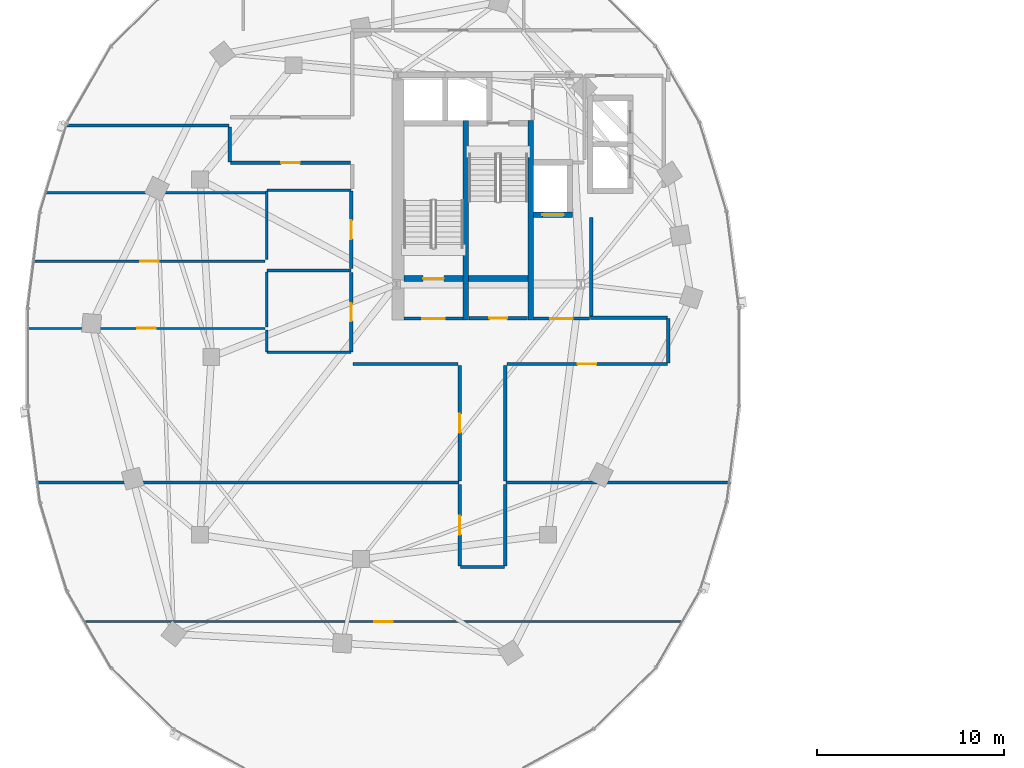
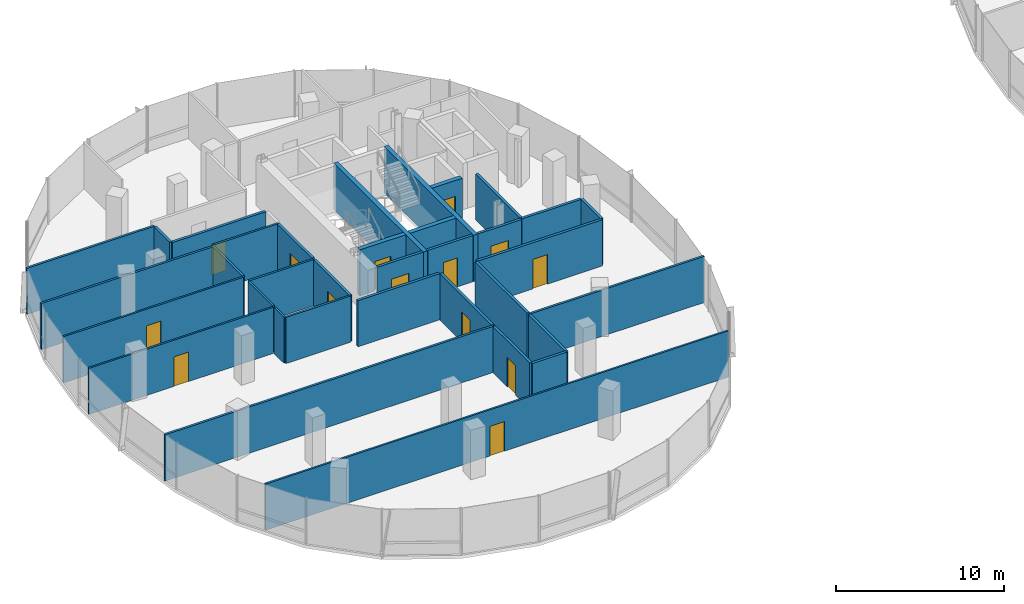
# One storey, part 12 of 23: 35 walls, 14 doors, 14 openings.
"""IFC4 building model written with IfcOpenShell, lengths in metres."""

import ifcopenshell
import ifcopenshell.guid

model = None  # the IFC model being written
_history = None  # IfcOwnerHistory: only IFC2X3 demands one
_inside = {}  # id of a spatial element -> (the spatial element, [elements in it])
_under = {}  # id of a project, library or spatial element -> (it, [spatial elements below it])
_declared = {}  # id of a project -> (the project, [libraries it declares])
_typed = {}  # id of a type object -> (the type object, [elements of that type])
_made_of = {}  # id of a material, layer set ... -> (it, [elements and type objects made of it])


def new_model(schema):
    """Start an empty IFC model of exactly this schema.

    Asked for "IFC4X3", IfcOpenShell would pick the latest addendum, in which some entities
    have other attributes; the version numbers below select the first issue.
    IFC2X3 requires an IfcOwnerHistory on every rooted entity: one is made here for all.
    """
    global model, _history
    if schema == "IFC4X3":
        model = ifcopenshell.file(schema_version=(4, 3, 0, 0))
    else:
        model = ifcopenshell.file(schema=schema)
    _inside.clear()
    _under.clear()
    _declared.clear()
    _typed.clear()
    _made_of.clear()
    _history = None
    if model.schema == "IFC2X3":
        org = make("IfcOrganization", Name="unknown")
        user = make(
            "IfcPersonAndOrganization",
            ThePerson=make("IfcPerson", FamilyName="unknown"),
            TheOrganization=org,
        )
        app = make(
            "IfcApplication",
            ApplicationDeveloper=org,
            Version="unknown",
            ApplicationFullName="unknown",
            ApplicationIdentifier="unknown",
        )
        _history = make(
            "IfcOwnerHistory",
            OwningUser=user,
            OwningApplication=app,
            ChangeAction="ADDED",
            CreationDate=0,
        )
    return model


def make(cls, **values):
    """One entity of the class cls with the attributes given. An attribute that is None is left unset."""
    return model.create_entity(
        cls, **{name: value for name, value in values.items() if value is not None}
    )


def rooted(cls, **values):
    """An entity with a GlobalId (a new one), such as an element, a storey or a relation."""
    return make(cls, GlobalId=ifcopenshell.guid.new(), OwnerHistory=_history, **values)


def si_unit(unit_type, name, prefix=None):
    """IfcSIUnit, for example si_unit("LENGTHUNIT", "METRE", prefix="MILLI")."""
    return make("IfcSIUnit", UnitType=unit_type, Prefix=prefix, Name=name)


def assignment(units):
    """IfcUnitAssignment: the units of a project."""
    return None if units is None else make("IfcUnitAssignment", Units=units)


def point(xyz):
    """IfcCartesianPoint."""
    return None if xyz is None else make("IfcCartesianPoint", Coordinates=xyz)


def direction(xyz):
    """IfcDirection."""
    return None if xyz is None else make("IfcDirection", DirectionRatios=xyz)


def frame(location, z_axis=None, x_axis=None):
    """IfcAxis2Placement3D, a coordinate frame: its origin and axes. An axis left out is left unset."""
    return make(
        "IfcAxis2Placement3D",
        Location=point(location),
        Axis=direction(z_axis),
        RefDirection=direction(x_axis),
    )


def frame_2d(location, x_axis=None):
    """IfcAxis2Placement2D, a coordinate frame in the plane: its origin and x axis."""
    return make(
        "IfcAxis2Placement2D", Location=point(location), RefDirection=direction(x_axis)
    )


def origin():
    """The frame at (0, 0, 0) with its axes left unset."""
    return frame((0.0, 0.0, 0.0))


def place(relative_to, where):
    """IfcLocalPlacement: puts the frame where relative to a parent placement (None: the world)."""
    return make(
        "IfcLocalPlacement", PlacementRelTo=relative_to, RelativePlacement=where
    )


def context(
    kind, dimensions, precision=None, world=None, true_north=None, identifier=None
):
    """IfcGeometricRepresentationContext, for example the 3D "Model" context."""
    return make(
        "IfcGeometricRepresentationContext",
        ContextIdentifier=identifier,
        ContextType=kind,
        CoordinateSpaceDimension=dimensions,
        Precision=precision,
        WorldCoordinateSystem=world,
        TrueNorth=true_north,
    )


def subcontext(parent, identifier, kind, view, scale=None):
    """IfcGeometricRepresentationSubContext, for example "Body" below "Model"."""
    return make(
        "IfcGeometricRepresentationSubContext",
        ContextIdentifier=identifier,
        ContextType=kind,
        ParentContext=parent,
        TargetScale=scale,
        TargetView=view,
    )


def project(units=None, contexts=None):
    """IfcProject with its units and contexts."""
    return rooted(
        "IfcProject",
        Name="project",
        RepresentationContexts=contexts,
        UnitsInContext=assignment(units),
    )


def spatial(cls, under=None, at=None, **own):
    """A site, building, storey or space (cls), placed at a placement, below another one or the project."""
    s = rooted(cls, ObjectPlacement=at, **own)
    if under is not None:
        _under.setdefault(under.id(), (under, []))[1].append(s)
    return s


def profile(cls, at=None, kind="AREA", **sizes):
    """A parametric profile (cls). Its sizes go by their IFC names, for example OverallWidth=200.0."""
    return make(cls, ProfileType=kind, Position=at, **sizes)


def rectangle(**sizes):
    """IfcRectangleProfileDef."""
    return profile("IfcRectangleProfileDef", **sizes)


def extrude(swept, where, along, depth):
    """IfcExtrudedAreaSolid: the profile swept, set in the frame where, extruded along a direction by depth."""
    return make(
        "IfcExtrudedAreaSolid",
        SweptArea=swept,
        Position=where,
        ExtrudedDirection=direction(along),
        Depth=depth,
    )


def shape(context_of_items, identifier, shape_type, items):
    """IfcShapeRepresentation: the items that make up one representation, for example the "Body"."""
    return make(
        "IfcShapeRepresentation",
        ContextOfItems=context_of_items,
        RepresentationIdentifier=identifier,
        RepresentationType=shape_type,
        Items=items,
    )


def material(Name=None, Category=None):
    """IfcMaterial."""
    return make("IfcMaterial", Name=Name, Category=Category)


def layer(
    of_material, thickness, ventilated=None, Name=None, Category=None, Priority=None
):
    """IfcMaterialLayer: one layer of a wall or slab, of a material (None: an air gap)."""
    return make(
        "IfcMaterialLayer",
        Material=of_material,
        LayerThickness=thickness,
        IsVentilated=ventilated,
        Name=Name,
        Category=Category,
        Priority=Priority,
    )


def layer_set(layers, Name=None):
    """IfcMaterialLayerSet."""
    return make("IfcMaterialLayerSet", MaterialLayers=layers, LayerSetName=Name)


def made_of(thing, what):
    """Note that an element or type object is made of a material, layer set ...; save() writes the relation."""
    if what is not None:
        _made_of.setdefault(what.id(), (what, []))[1].append(thing)
    return thing


def type_object(cls, material=None, **own):
    """A type object (cls), such as IfcWallType, which elements share."""
    return made_of(rooted(cls, **own), material)


def element(
    cls,
    number,
    at=None,
    inside=None,
    cuts=None,
    type_object=None,
    material=None,
    context=None,
    identifier="Body",
    shape_type=None,
    held_by="IfcProductDefinitionShape",
    body=None,
    shapes=None,
    **own,
):
    """One element of the class cls, such as IfcWall. Its Tag is "e" and its number.

    at: its placement. inside: the storey or other place that contains it. cuts: it is an
    opening in that element (IfcRelVoidsElement). A single representation is given by context,
    identifier, shape_type and body (its items); several are given by shapes. held_by: the class
    of the entity that holds the representations. save() writes the other relations.
    """
    e = rooted(cls, Tag="e%d" % number, ObjectPlacement=at, **own)
    if body is not None:
        shapes = [shape(context, identifier, shape_type, body)]
    if shapes is not None:
        e.Representation = make(held_by, Representations=shapes)
    if inside is not None:
        _inside.setdefault(inside.id(), (inside, []))[1].append(e)
    if cuts is not None:
        rooted(
            "IfcRelVoidsElement", RelatingBuildingElement=cuts, RelatedOpeningElement=e
        )
    if type_object is not None:
        _typed.setdefault(type_object.id(), (type_object, []))[1].append(e)
    return made_of(e, material)


def fill(opening, filler):
    """IfcRelFillsElement: the door or window that sits in an opening."""
    return rooted(
        "IfcRelFillsElement",
        RelatingOpeningElement=opening,
        RelatedBuildingElement=filler,
    )


def aggregate(whole, parts):
    """IfcRelAggregates: a whole, such as a stair, and the parts it consists of."""
    return rooted("IfcRelAggregates", RelatingObject=whole, RelatedObjects=parts)


def save(model, path):
    """Write the relations noted so far, then the file.

    IfcRelAggregates (storeys below a building ...), IfcRelContainedInSpatialStructure (elements
    in a storey), IfcRelDefinesByType, IfcRelAssociatesMaterial and IfcRelDeclares: one each for
    every whole, place, type object, material and project.
    """
    for whole, parts in _under.values():
        aggregate(whole, parts)
    for where, things in _inside.values():
        rooted(
            "IfcRelContainedInSpatialStructure",
            RelatedElements=things,
            RelatingStructure=where,
        )
    for kind, things in _typed.values():
        rooted("IfcRelDefinesByType", RelatedObjects=things, RelatingType=kind)
    for what, things in _made_of.values():
        rooted("IfcRelAssociatesMaterial", RelatedObjects=things, RelatingMaterial=what)
    for by, libraries in _declared.values():
        rooted("IfcRelDeclares", RelatingContext=by, RelatedDefinitions=libraries)
    model.write(path)


model = new_model("IFC4")

# Units and contexts
model_context = context("Model", 3, precision=1e-05, world=origin(), true_north=direction((0.0, 1.0)))
body_context = subcontext(model_context, "Body", "Model", "MODEL_VIEW")
ifc_project = project(units=[si_unit("LENGTHUNIT", "METRE"), si_unit("AREAUNIT", "SQUARE_METRE"), si_unit("VOLUMEUNIT", "CUBIC_METRE"), si_unit("PLANEANGLEUNIT", "RADIAN"), si_unit("MASSUNIT", "GRAM", prefix="KILO"), si_unit("THERMODYNAMICTEMPERATUREUNIT", "KELVIN"), si_unit("POWERUNIT", "WATT")], contexts=[model_context])

# Site, building, storey
site_placement = place(None, origin())
site = spatial("IfcSite", under=ifc_project, at=site_placement, CompositionType="ELEMENT")
building_placement = place(site_placement, origin())
building = spatial("IfcBuilding", under=site, at=building_placement, Name="Cundina Bronze Exchange", CompositionType="ELEMENT")
storey_placement = place(building_placement, frame((0.0, 0.0, 172.800048828125)))
storey = spatial("IfcBuildingStorey", under=building, at=storey_placement, Name="L45", CompositionType="ELEMENT", Elevation=172.800048828125)

# Wall
ifc_material_1 = material(Name="Gypsum Fireboard Partition EI120")
ifc_layer_1 = layer(ifc_material_1, 0.179931640625, Name="Gypsum Fireboard Partition EI120")
ifc_layer_set_1 = layer_set([ifc_layer_1], Name="Gypsum Fireboard Partition EI120")
wall_type_1 = type_object("IfcWallType", Name="WL-COR-180", PredefinedType="PARTITIONING", material=ifc_layer_set_1)
wall_1_placement = place(storey_placement, frame((-20.889892578125, 2.14990234375, 0.0), z_axis=(0.0, 0.0, 1.0), x_axis=(0.0, 1.0, 0.0)))
element("IfcWall", 1, at=wall_1_placement, inside=storey, type_object=wall_type_1, Name="L45 W Firefighting Lobby Side Wall", PredefinedType="PARTITIONING", context=body_context, shape_type="SweptSolid", body=[
    extrude(rectangle(XDim=5.300048828125, YDim=0.179931640625, at=frame_2d((2.64990234375, 0.0))), origin(), (0.0, 0.0, 1.0), 3.35986328125),
])

# Wall, opening, door
wall_2_placement = place(storey_placement, frame((-23.97998046875, 2.06005859375, 0.0), z_axis=(0.0, 0.0, 1.0), x_axis=(1.0, 0.0, 0.0)))
wall_2 = element("IfcWall", 2, at=wall_2_placement, inside=storey, type_object=wall_type_1, Name="L45 W Firefighting Lobby Exit Wall", PredefinedType="PARTITIONING", context=body_context, shape_type="SweptSolid", body=[
    extrude(rectangle(XDim=3.0, YDim=0.179931640625, at=frame_2d((1.5, 0.0))), origin(), (0.0, 0.0, 1.0), 3.35986328125),
])
opening_1_placement = place(wall_2_placement, frame((0.89990234375, 0.0, 0.0)))
opening_1 = element("IfcOpeningElement", 3, at=opening_1_placement, cuts=wall_2, Name="Opening DF-01", PredefinedType="OPENING", context=body_context, shape_type="SweptSolid", body=[
    extrude(rectangle(XDim=1.199951171875, YDim=2.14990234375, at=frame_2d((0.60009765625, 1.074951171875))), frame((0.0, 0.099853515625, 0.0), z_axis=(0.0, -1.0, 0.0), x_axis=(1.0, 0.0, 0.0)), (0.0, 0.0, 1.0), 0.199951171875),
])
ifc_material_2 = material(Name="Steel ASTM A36 Painted", Category="steel")
door_type_1 = type_object("IfcDoorType", Name="DR-FFL-1200", OperationType="NOTDEFINED", PredefinedType="DOOR", material=ifc_material_2)
door_1_placement = place(opening_1_placement, origin())
door_1 = element("IfcDoor", 4, at=door_1_placement, inside=storey, type_object=door_type_1, Name="L45 W Firefighting Lobby Door", OperationType="SINGLE_SWING_RIGHT", OverallHeight=2.14990234375, OverallWidth=1.199951171875, PredefinedType="DOOR", context=body_context, shape_type="SweptSolid", body=[
    extrude(rectangle(XDim=1.199951171875, YDim=2.14990234375, at=frame_2d((0.60009765625, 1.074951171875))), frame((0.0, 0.02490234375, 0.0), z_axis=(0.0, -1.0, 0.0), x_axis=(1.0, 0.0, 0.0)), (0.0, 0.0, 1.0), 0.050048828125),
])
fill(opening_1, door_1)

wall_3_placement = place(storey_placement, frame((-30.89990234375, 2.06005859375, 0.0), z_axis=(0.0, 0.0, 1.0), x_axis=(1.0, 0.0, 0.0)))
wall_3 = element("IfcWall", 5, at=wall_3_placement, inside=storey, type_object=wall_type_1, Name="L45 W Stair Vestibule Exit Wall", PredefinedType="PARTITIONING", context=body_context, shape_type="SweptSolid", body=[
    extrude(rectangle(XDim=3.159912109375, YDim=0.179931640625, at=frame_2d((1.580078125, 0.0))), origin(), (0.0, 0.0, 1.0), 3.35986328125),
])
opening_2_placement = place(wall_3_placement, frame((0.97998046875, 0.0, 0.0)))
opening_2 = element("IfcOpeningElement", 6, at=opening_2_placement, cuts=wall_3, Name="Opening DF-01", PredefinedType="OPENING", context=body_context, shape_type="SweptSolid", body=[
    extrude(rectangle(XDim=1.199951171875, YDim=2.14990234375, at=frame_2d((0.60009765625, 1.074951171875))), frame((0.0, 0.099853515625, 0.0), z_axis=(0.0, -1.0, 0.0), x_axis=(1.0, 0.0, 0.0)), (0.0, 0.0, 1.0), 0.199951171875),
])
door_2_placement = place(opening_2_placement, origin())
door_2 = element("IfcDoor", 7, at=door_2_placement, inside=storey, type_object=door_type_1, Name="L45 W Stair Vestibule Door", OperationType="SINGLE_SWING_LEFT", OverallHeight=2.14990234375, OverallWidth=1.199951171875, PredefinedType="DOOR", context=body_context, shape_type="SweptSolid", body=[
    extrude(rectangle(XDim=1.199951171875, YDim=2.14990234375, at=frame_2d((0.60009765625, 1.074951171875))), frame((0.0, 0.02490234375, 0.0), z_axis=(0.0, -1.0, 0.0), x_axis=(1.0, 0.0, 0.0)), (0.0, 0.0, 1.0), 0.050048828125),
])
fill(opening_2, door_2)

wall_4_placement = place(storey_placement, frame((-27.419921875, 2.070068359375, 0.0), z_axis=(0.0, 0.0, 1.0), x_axis=(1.0, 0.0, 0.0)))
wall_4 = element("IfcWall", 8, at=wall_4_placement, inside=storey, type_object=wall_type_1, Name="L45 Interior Partition 007", PredefinedType="PARTITIONING", context=body_context, shape_type="SweptSolid", body=[
    extrude(rectangle(XDim=3.119873046875, YDim=0.179931640625, at=frame_2d((1.56005859375, 0.0))), origin(), (0.0, 0.0, 1.0), 3.35986328125),
])
opening_3_placement = place(wall_4_placement, frame((1.0849609375, 0.0, 0.0)))
opening_3 = element("IfcOpeningElement", 9, at=opening_3_placement, cuts=wall_4, Name="Opening DW-01", PredefinedType="OPENING", context=body_context, shape_type="SweptSolid", body=[
    extrude(rectangle(XDim=0.949951171875, YDim=2.10009765625, at=frame_2d((0.47509765625, 1.050048828125))), frame((0.0, 0.099853515625, 0.0), z_axis=(0.0, -1.0, 0.0), x_axis=(1.0, 0.0, 0.0)), (0.0, 0.0, 1.0), 0.199951171875),
])
ifc_material_3 = material(Name="Solid Andean Oak Timber Grade A", Category="wood")
door_type_2 = type_object("IfcDoorType", Name="DR-WC-950", OperationType="NOTDEFINED", PredefinedType="DOOR", material=ifc_material_3)
door_3_placement = place(opening_3_placement, origin())
door_3 = element("IfcDoor", 10, at=door_3_placement, inside=storey, type_object=door_type_2, Name="L45 Interior Door 007", OperationType="SINGLE_SWING_RIGHT", OverallHeight=2.10009765625, OverallWidth=0.949951171875, PredefinedType="DOOR", context=body_context, shape_type="SweptSolid", body=[
    extrude(rectangle(XDim=0.949951171875, YDim=2.10009765625, at=frame_2d((0.47509765625, 1.050048828125))), frame((0.0, 0.02490234375, 0.0), z_axis=(0.0, -1.0, 0.0), x_axis=(1.0, 0.0, 0.0)), (0.0, 0.0, 1.0), 0.050048828125),
])
fill(opening_3, door_3)

wall_5_placement = place(storey_placement, frame((-33.719970703125, 0.27001953125, 0.0), z_axis=(0.0, 0.0, 1.0), x_axis=(0.0, 1.0, 0.0)))
wall_5 = element("IfcWall", 11, at=wall_5_placement, inside=storey, type_object=wall_type_1, Name="L45 Interior Partition 015", PredefinedType="PARTITIONING", context=body_context, shape_type="SweptSolid", body=[
    extrude(rectangle(XDim=4.260009765625, YDim=0.179931640625, at=frame_2d((2.1298828125, 0.0))), origin(), (0.0, 0.0, 1.0), 3.35986328125),
])
opening_4_placement = place(wall_5_placement, frame((1.655029296875, 0.0, 0.0)))
opening_4 = element("IfcOpeningElement", 12, at=opening_4_placement, cuts=wall_5, Name="Opening DW-01", PredefinedType="OPENING", context=body_context, shape_type="SweptSolid", body=[
    extrude(rectangle(XDim=0.949951171875, YDim=2.10009765625, at=frame_2d((0.47509765625, 1.050048828125))), frame((0.0, 0.099853515625, 0.0), z_axis=(0.0, -1.0, 0.0), x_axis=(1.0, 0.0, 0.0)), (0.0, 0.0, 1.0), 0.199951171875),
])
door_4_placement = place(opening_4_placement, origin())
door_4 = element("IfcDoor", 13, at=door_4_placement, inside=storey, type_object=door_type_2, Name="L45 Interior Door 015", OperationType="SINGLE_SWING_RIGHT", OverallHeight=2.10009765625, OverallWidth=0.949951171875, PredefinedType="DOOR", context=body_context, shape_type="SweptSolid", body=[
    extrude(rectangle(XDim=0.949951171875, YDim=2.10009765625, at=frame_2d((0.47509765625, 1.050048828125))), frame((0.0, 0.02490234375, 0.0), z_axis=(0.0, -1.0, 0.0), x_axis=(1.0, 0.0, 0.0)), (0.0, 0.0, 1.0), 0.050048828125),
])
fill(opening_4, door_4)

wall_6_placement = place(storey_placement, frame((-33.719970703125, 4.72998046875, 0.0), z_axis=(0.0, 0.0, 1.0), x_axis=(0.0, 1.0, 0.0)))
wall_6 = element("IfcWall", 14, at=wall_6_placement, inside=storey, type_object=wall_type_1, Name="L45 Interior Partition 016", PredefinedType="PARTITIONING", context=body_context, shape_type="SweptSolid", body=[
    extrude(rectangle(XDim=4.159912109375, YDim=0.179931640625, at=frame_2d((2.080078125, 0.0))), origin(), (0.0, 0.0, 1.0), 3.35986328125),
])
opening_5_placement = place(wall_6_placement, frame((1.580078125, 0.0, 0.0)))
opening_5 = element("IfcOpeningElement", 15, at=opening_5_placement, cuts=wall_6, Name="Opening DO-01", PredefinedType="OPENING", context=body_context, shape_type="SweptSolid", body=[
    extrude(rectangle(XDim=1.0, YDim=2.14990234375, at=frame_2d((0.5, 1.074951171875))), frame((0.0, 0.099853515625, 0.0), z_axis=(0.0, -1.0, 0.0), x_axis=(1.0, 0.0, 0.0)), (0.0, 0.0, 1.0), 0.199951171875),
])
door_type_3 = type_object("IfcDoorType", Name="DR-OFF-1000", OperationType="NOTDEFINED", PredefinedType="DOOR", material=ifc_material_3)
door_5_placement = place(opening_5_placement, origin())
door_5 = element("IfcDoor", 16, at=door_5_placement, inside=storey, type_object=door_type_3, Name="L45 Interior Door 016", OperationType="SINGLE_SWING_RIGHT", OverallHeight=2.14990234375, OverallWidth=1.0, PredefinedType="DOOR", context=body_context, shape_type="SweptSolid", body=[
    extrude(rectangle(XDim=1.0, YDim=2.14990234375, at=frame_2d((0.5, 1.074951171875))), frame((0.0, 0.02490234375, 0.0), z_axis=(0.0, -1.0, 0.0), x_axis=(1.0, 0.0, 0.0)), (0.0, 0.0, 1.0), 0.050048828125),
])
fill(opening_5, door_5)

wall_7_placement = place(storey_placement, frame((-27.919921875, -6.800048828125, 0.0), z_axis=(0.0, 0.0, 1.0), x_axis=(0.0, -1.0, 0.0)))
wall_7 = element("IfcWall", 17, at=wall_7_placement, inside=storey, type_object=wall_type_1, Name="L45 Interior Partition 024", PredefinedType="PARTITIONING", context=body_context, shape_type="SweptSolid", body=[
    extrude(rectangle(XDim=4.37841796875, YDim=0.179931640625, at=frame_2d((2.189208984375, 0.0))), origin(), (0.0, 0.0, 1.0), 3.35986328125),
])
opening_6_placement = place(wall_7_placement, frame((1.689208984375, 0.0, 0.0)))
opening_6 = element("IfcOpeningElement", 18, at=opening_6_placement, cuts=wall_7, Name="Opening DO-01", PredefinedType="OPENING", context=body_context, shape_type="SweptSolid", body=[
    extrude(rectangle(XDim=1.0, YDim=2.14990234375, at=frame_2d((0.5, 1.074951171875))), frame((0.0, 0.099853515625, 0.0), z_axis=(0.0, -1.0, 0.0), x_axis=(1.0, 0.0, 0.0)), (0.0, 0.0, 1.0), 0.199951171875),
])
door_6_placement = place(opening_6_placement, origin())
door_6 = element("IfcDoor", 19, at=door_6_placement, inside=storey, type_object=door_type_3, Name="L45 Interior Door 024", OperationType="SINGLE_SWING_LEFT", OverallHeight=2.14990234375, OverallWidth=1.0, PredefinedType="DOOR", context=body_context, shape_type="SweptSolid", body=[
    extrude(rectangle(XDim=1.0, YDim=2.14990234375, at=frame_2d((0.5, 1.074951171875))), frame((0.0, 0.02490234375, 0.0), z_axis=(0.0, -1.0, 0.0), x_axis=(1.0, 0.0, 0.0)), (0.0, 0.0, 1.0), 0.050048828125),
])
fill(opening_6, door_6)

# Walls
wall_8_placement = place(storey_placement, frame((-25.47998046875, -11.178466796875, 0.0), z_axis=(0.0, 0.0, 1.0), x_axis=(0.0, 1.0, 0.0)))
element("IfcWall", 20, at=wall_8_placement, inside=storey, type_object=wall_type_1, Name="L45 Interior Partition 025", PredefinedType="PARTITIONING", context=body_context, shape_type="SweptSolid", body=[
    extrude(rectangle(XDim=4.37841796875, YDim=0.179931640625, at=frame_2d((2.189208984375, 0.0))), origin(), (0.0, 0.0, 1.0), 3.35986328125),
])
wall_9_placement = place(storey_placement, frame((-27.87841796875, -11.219970703125, 0.0), z_axis=(0.0, 0.0, 1.0), x_axis=(1.0, 0.0, 0.0)))
element("IfcWall", 21, at=wall_9_placement, inside=storey, type_object=wall_type_1, Name="L45 Interior Partition 026", PredefinedType="PARTITIONING", context=body_context, shape_type="SweptSolid", body=[
    extrude(rectangle(XDim=2.35693359375, YDim=0.179931640625, at=frame_2d((1.178466796875, 0.0))), origin(), (0.0, 0.0, 1.0), 3.35986328125),
])

# Wall, opening, door
wall_10_placement = place(storey_placement, frame((-27.919921875, -0.449951171875, 0.0), z_axis=(0.0, 0.0, 1.0), x_axis=(0.0, -1.0, 0.0)))
wall_10 = element("IfcWall", 22, at=wall_10_placement, inside=storey, type_object=wall_type_1, Name="L45 Interior Partition 027", PredefinedType="PARTITIONING", context=body_context, shape_type="SweptSolid", body=[
    extrude(rectangle(XDim=6.170166015625, YDim=0.179931640625, at=frame_2d((3.0849609375, 0.0))), origin(), (0.0, 0.0, 1.0), 3.35986328125),
])
opening_7_placement = place(wall_10_placement, frame((2.5849609375, 0.0, 0.0)))
opening_7 = element("IfcOpeningElement", 23, at=opening_7_placement, cuts=wall_10, Name="Opening DO-01", PredefinedType="OPENING", context=body_context, shape_type="SweptSolid", body=[
    extrude(rectangle(XDim=1.0, YDim=2.14990234375, at=frame_2d((0.5, 1.074951171875))), frame((0.0, 0.099853515625, 0.0), z_axis=(0.0, -1.0, 0.0), x_axis=(1.0, 0.0, 0.0)), (0.0, 0.0, 1.0), 0.199951171875),
])
door_7_placement = place(opening_7_placement, origin())
door_7 = element("IfcDoor", 24, at=door_7_placement, inside=storey, type_object=door_type_3, Name="L45 Interior Door 027", OperationType="SINGLE_SWING_LEFT", OverallHeight=2.14990234375, OverallWidth=1.0, PredefinedType="DOOR", context=body_context, shape_type="SweptSolid", body=[
    extrude(rectangle(XDim=1.0, YDim=2.14990234375, at=frame_2d((0.5, 1.074951171875))), frame((0.0, 0.02490234375, 0.0), z_axis=(0.0, -1.0, 0.0), x_axis=(1.0, 0.0, 0.0)), (0.0, 0.0, 1.0), 0.050048828125),
])
fill(opening_7, door_7)

# Wall
wall_11_placement = place(storey_placement, frame((-33.62841796875, -0.3701171875, 0.0), z_axis=(0.0, 0.0, 1.0), x_axis=(1.0, 0.0, 0.0)))
element("IfcWall", 25, at=wall_11_placement, inside=storey, type_object=wall_type_1, Name="L45 Interior Partition 028", PredefinedType="PARTITIONING", context=body_context, shape_type="SweptSolid", body=[
    extrude(rectangle(XDim=5.62841796875, YDim=0.179931640625, at=frame_2d((2.814208984375, 0.0))), origin(), (0.0, 0.0, 1.0), 3.35986328125),
])

# Wall, opening, door
wall_12_placement = place(storey_placement, frame((-25.39990234375, -0.3701171875, 0.0), z_axis=(0.0, 0.0, 1.0), x_axis=(1.0, 0.0, 0.0)))
wall_12 = element("IfcWall", 26, at=wall_12_placement, inside=storey, type_object=wall_type_1, Name="L45 Interior Partition 029", PredefinedType="PARTITIONING", context=body_context, shape_type="SweptSolid", body=[
    extrude(rectangle(XDim=8.578369140625, YDim=0.179931640625, at=frame_2d((4.2890625, 0.0))), origin(), (0.0, 0.0, 1.0), 3.35986328125),
])
opening_8_placement = place(wall_12_placement, frame((3.789306640625, 0.0, 0.0)))
opening_8 = element("IfcOpeningElement", 27, at=opening_8_placement, cuts=wall_12, Name="Opening DO-01", PredefinedType="OPENING", context=body_context, shape_type="SweptSolid", body=[
    extrude(rectangle(XDim=1.0, YDim=2.14990234375, at=frame_2d((0.5, 1.074951171875))), frame((0.0, 0.099853515625, 0.0), z_axis=(0.0, -1.0, 0.0), x_axis=(1.0, 0.0, 0.0)), (0.0, 0.0, 1.0), 0.199951171875),
])
door_8_placement = place(opening_8_placement, origin())
door_8 = element("IfcDoor", 28, at=door_8_placement, inside=storey, type_object=door_type_3, Name="L45 Interior Door 029", OperationType="SINGLE_SWING_RIGHT", OverallHeight=2.14990234375, OverallWidth=1.0, PredefinedType="DOOR", context=body_context, shape_type="SweptSolid", body=[
    extrude(rectangle(XDim=1.0, YDim=2.14990234375, at=frame_2d((0.5, 1.074951171875))), frame((0.0, 0.02490234375, 0.0), z_axis=(0.0, -1.0, 0.0), x_axis=(1.0, 0.0, 0.0)), (0.0, 0.0, 1.0), 0.050048828125),
])
fill(opening_8, door_8)

# Walls
wall_13_placement = place(storey_placement, frame((-25.47998046875, -6.6201171875, 0.0), z_axis=(0.0, 0.0, 1.0), x_axis=(0.0, 1.0, 0.0)))
element("IfcWall", 29, at=wall_13_placement, inside=storey, type_object=wall_type_1, Name="L45 Interior Partition 030", PredefinedType="PARTITIONING", context=body_context, shape_type="SweptSolid", body=[
    extrude(rectangle(XDim=6.170166015625, YDim=0.179931640625, at=frame_2d((3.0849609375, 0.0))), origin(), (0.0, 0.0, 1.0), 3.35986328125),
])
wall_14_placement = place(storey_placement, frame((-16.821533203125, 2.10009765625, 0.0), z_axis=(0.0, 0.0, 1.0), x_axis=(-1.0, 0.0, 0.0)))
element("IfcWall", 30, at=wall_14_placement, inside=storey, type_object=wall_type_1, Name="L45 Interior Partition 031", PredefinedType="PARTITIONING", context=body_context, shape_type="SweptSolid", body=[
    extrude(rectangle(XDim=4.098388671875, YDim=0.179931640625, at=frame_2d((2.04931640625, 0.0))), origin(), (0.0, 0.0, 1.0), 3.35986328125),
])
wall_15_placement = place(storey_placement, frame((-16.780029296875, -0.32861328125, 0.0), z_axis=(0.0, 0.0, 1.0), x_axis=(0.0, 1.0, 0.0)))
element("IfcWall", 31, at=wall_15_placement, inside=storey, type_object=wall_type_1, Name="L45 Interior Partition 032", PredefinedType="PARTITIONING", context=body_context, shape_type="SweptSolid", body=[
    extrude(rectangle(XDim=2.38720703125, YDim=0.179931640625, at=frame_2d((1.193603515625, 0.0))), origin(), (0.0, 0.0, 1.0), 3.35986328125),
])

# Wall, opening, door
wall_16_placement = place(storey_placement, frame((-40.178466796875, 10.3798828125, 0.0), z_axis=(0.0, 0.0, 1.0), x_axis=(1.0, 0.0, 0.0)))
wall_16 = element("IfcWall", 32, at=wall_16_placement, inside=storey, type_object=wall_type_1, Name="L45 Interior Partition 034", PredefinedType="PARTITIONING", context=body_context, shape_type="SweptSolid", body=[
    extrude(rectangle(XDim=6.428466796875, YDim=0.179931640625, at=frame_2d((3.21435546875, 0.0))), origin(), (0.0, 0.0, 1.0), 3.35986328125),
])
opening_9_placement = place(wall_16_placement, frame((2.714111328125, 0.0, 0.0)))
opening_9 = element("IfcOpeningElement", 33, at=opening_9_placement, cuts=wall_16, Name="Opening DO-01", PredefinedType="OPENING", context=body_context, shape_type="SweptSolid", body=[
    extrude(rectangle(XDim=1.0, YDim=2.14990234375, at=frame_2d((0.5, 1.074951171875))), frame((0.0, 0.099853515625, 0.0), z_axis=(0.0, -1.0, 0.0), x_axis=(1.0, 0.0, 0.0)), (0.0, 0.0, 1.0), 0.199951171875),
])
door_9_placement = place(opening_9_placement, origin())
door_9 = element("IfcDoor", 34, at=door_9_placement, inside=storey, type_object=door_type_3, Name="L45 Interior Door 034", OperationType="SINGLE_SWING_LEFT", OverallHeight=2.14990234375, OverallWidth=1.0, PredefinedType="DOOR", context=body_context, shape_type="SweptSolid", body=[
    extrude(rectangle(XDim=1.0, YDim=2.14990234375, at=frame_2d((0.5, 1.074951171875))), frame((0.0, 0.02490234375, 0.0), z_axis=(0.0, -1.0, 0.0), x_axis=(1.0, 0.0, 0.0)), (0.0, 0.0, 1.0), 0.050048828125),
])
fill(opening_9, door_9)

# Wall
wall_17_placement = place(storey_placement, frame((-40.219970703125, 12.2900390625, 0.0), z_axis=(0.0, 0.0, 1.0), x_axis=(0.0, -1.0, 0.0)))
element("IfcWall", 35, at=wall_17_placement, inside=storey, type_object=wall_type_1, Name="L45 Interior Partition 035", PredefinedType="PARTITIONING", context=body_context, shape_type="SweptSolid", body=[
    extrude(rectangle(XDim=1.86865234375, YDim=0.179931640625, at=frame_2d((0.934326171875, 0.0))), origin(), (0.0, 0.0, 1.0), 3.35986328125),
])

# Wall, opening, door
ifc_material_4 = material(Name="Gypsum Acoustic Partition EI60")
ifc_layer_2 = layer(ifc_material_4, 0.125, Name="Gypsum Acoustic Partition EI60")
ifc_layer_set_2 = layer_set([ifc_layer_2], Name="Gypsum Acoustic Partition EI60")
wall_type_2 = type_object("IfcWallType", Name="WL-OFF-125", PredefinedType="PARTITIONING", material=ifc_layer_set_2)
wall_18_placement = place(storey_placement, frame((-47.929931640625, -14.139892578125, 0.0), z_axis=(0.0, 0.0, 1.0), x_axis=(1.0, 0.0, 0.0)))
wall_18 = element("IfcWall", 36, at=wall_18_placement, inside=storey, type_object=wall_type_2, Name="L45 Interior Partition 042", PredefinedType="PARTITIONING", context=body_context, shape_type="SweptSolid", body=[
    extrude(rectangle(XDim=31.85986328125, YDim=0.125, at=frame_2d((15.929931640625, 0.0))), origin(), (0.0, 0.0, 1.0), 3.35986328125),
])
opening_10_placement = place(wall_18_placement, frame((15.429931640625, 0.0, 0.0)))
opening_10 = element("IfcOpeningElement", 37, at=opening_10_placement, cuts=wall_18, Name="Opening DO-01", PredefinedType="OPENING", context=body_context, shape_type="SweptSolid", body=[
    extrude(rectangle(XDim=1.0, YDim=2.14990234375, at=frame_2d((0.5, 1.074951171875))), frame((0.0, 0.072509765625, 0.0), z_axis=(0.0, -1.0, 0.0), x_axis=(1.0, 0.0, 0.0)), (0.0, 0.0, 1.0), 0.14501953125),
])
door_10_placement = place(opening_10_placement, origin())
door_10 = element("IfcDoor", 38, at=door_10_placement, inside=storey, type_object=door_type_3, Name="L45 Interior Door 042", OperationType="SINGLE_SWING_LEFT", OverallHeight=2.14990234375, OverallWidth=1.0, PredefinedType="DOOR", context=body_context, shape_type="SweptSolid", body=[
    extrude(rectangle(XDim=1.0, YDim=2.14990234375, at=frame_2d((0.5, 1.074951171875))), frame((0.0, 0.02490234375, 0.0), z_axis=(0.0, -1.0, 0.0), x_axis=(1.0, 0.0, 0.0)), (0.0, 0.0, 1.0), 0.050048828125),
])
fill(opening_10, door_10)

wall_19_placement = place(storey_placement, frame((-38.320068359375, 1.530029296875, 0.0), z_axis=(0.0, 0.0, 1.0), x_axis=(-1.0, 0.0, 0.0)))
wall_19 = element("IfcWall", 39, at=wall_19_placement, inside=storey, type_object=wall_type_2, Name="L45 Interior Partition 043", PredefinedType="PARTITIONING", context=body_context, shape_type="SweptSolid", body=[
    extrude(rectangle(XDim=12.701904296875, YDim=0.125, at=frame_2d((6.35107421875, 0.0))), origin(), (0.0, 0.0, 1.0), 3.35986328125),
])
opening_11_placement = place(wall_19_placement, frame((5.85107421875, 0.0, 0.0)))
opening_11 = element("IfcOpeningElement", 40, at=opening_11_placement, cuts=wall_19, Name="Opening DO-01", PredefinedType="OPENING", context=body_context, shape_type="SweptSolid", body=[
    extrude(rectangle(XDim=1.0, YDim=2.14990234375, at=frame_2d((0.5, 1.074951171875))), frame((0.0, 0.072509765625, 0.0), z_axis=(0.0, -1.0, 0.0), x_axis=(1.0, 0.0, 0.0)), (0.0, 0.0, 1.0), 0.14501953125),
])
door_11_placement = place(opening_11_placement, origin())
door_11 = element("IfcDoor", 41, at=door_11_placement, inside=storey, type_object=door_type_3, Name="L45 Interior Door 043", OperationType="SINGLE_SWING_LEFT", OverallHeight=2.14990234375, OverallWidth=1.0, PredefinedType="DOOR", context=body_context, shape_type="SweptSolid", body=[
    extrude(rectangle(XDim=1.0, YDim=2.14990234375, at=frame_2d((0.5, 1.074951171875))), frame((0.0, 0.02490234375, 0.0), z_axis=(0.0, -1.0, 0.0), x_axis=(1.0, 0.0, 0.0)), (0.0, 0.0, 1.0), 0.050048828125),
])
fill(opening_11, door_11)

wall_20_placement = place(storey_placement, frame((-38.320068359375, 5.1298828125, 0.0), z_axis=(0.0, 0.0, 1.0), x_axis=(-1.0, 0.0, 0.0)))
wall_20 = element("IfcWall", 42, at=wall_20_placement, inside=storey, type_object=wall_type_2, Name="L45 Interior Partition 044", PredefinedType="PARTITIONING", context=body_context, shape_type="SweptSolid", body=[
    extrude(rectangle(XDim=12.36865234375, YDim=0.125, at=frame_2d((6.184326171875, 0.0))), origin(), (0.0, 0.0, 1.0), 3.35986328125),
])
opening_12_placement = place(wall_20_placement, frame((5.684326171875, 0.0, 0.0)))
opening_12 = element("IfcOpeningElement", 43, at=opening_12_placement, cuts=wall_20, Name="Opening DO-01", PredefinedType="OPENING", context=body_context, shape_type="SweptSolid", body=[
    extrude(rectangle(XDim=1.0, YDim=2.14990234375, at=frame_2d((0.5, 1.074951171875))), frame((0.0, 0.072509765625, 0.0), z_axis=(0.0, -1.0, 0.0), x_axis=(1.0, 0.0, 0.0)), (0.0, 0.0, 1.0), 0.14501953125),
])
door_12_placement = place(opening_12_placement, origin())
door_12 = element("IfcDoor", 44, at=door_12_placement, inside=storey, type_object=door_type_3, Name="L45 Interior Door 044", OperationType="SINGLE_SWING_LEFT", OverallHeight=2.14990234375, OverallWidth=1.0, PredefinedType="DOOR", context=body_context, shape_type="SweptSolid", body=[
    extrude(rectangle(XDim=1.0, YDim=2.14990234375, at=frame_2d((0.5, 1.074951171875))), frame((0.0, 0.02490234375, 0.0), z_axis=(0.0, -1.0, 0.0), x_axis=(1.0, 0.0, 0.0)), (0.0, 0.0, 1.0), 0.050048828125),
])
fill(opening_12, door_12)

# Walls
ifc_material_5 = material(Name="Concrete C50/60", Category="concrete")
ifc_layer_3 = layer(ifc_material_5, 0.300048828125, Name="Concrete C50/60", Category="concrete")
ifc_layer_set_3 = layer_set([ifc_layer_3], Name="Concrete C50/60")
wall_type_3 = type_object("IfcWallType", Name="WL-SHFT-300", PredefinedType="SHEAR", material=ifc_layer_set_3)
for number, where, z_axis, x_axis, name in (
    (45, (-27.590087890625, 1.969970703125, 0.0), (0.0, 0.0, 1.0), (0.0, 1.0, 0.0), "L45 W Stair Shaft Dividing Shear Wall"),
    (46, (-24.1298828125, 1.969970703125, 0.0), (0.0, 0.0, 1.0), (0.0, 1.0, 0.0), "L45 W Stair 2 East Shear Wall"),
):
    element("IfcWall", number, at=place(storey_placement, frame(where, z_axis=z_axis, x_axis=x_axis)), inside=storey, type_object=wall_type_3, Name=name, PredefinedType="SHEAR", context=body_context, shape_type="SweptSolid", body=[
        extrude(rectangle(XDim=10.679931640625, YDim=0.300048828125, at=frame_2d((5.33984375, 0.0))), origin(), (0.0, 0.0, 1.0), 3.35986328125),
    ])

# Wall, opening, door
wall_21_placement = place(storey_placement, frame((-30.89990234375, 4.199951171875, 0.0), z_axis=(0.0, 0.0, 1.0), x_axis=(1.0, 0.0, 0.0)))
wall_21 = element("IfcWall", 47, at=wall_21_placement, inside=storey, type_object=wall_type_3, Name="L45 Stair W1 Landing Wall", PredefinedType="SHEAR", context=body_context, shape_type="SweptSolid", body=[
    extrude(rectangle(XDim=3.159912109375, YDim=0.300048828125, at=frame_2d((1.580078125, 0.0))), origin(), (0.0, 0.0, 1.0), 3.35986328125),
])
opening_13_placement = place(wall_21_placement, frame((1.030029296875, 0.0, 0.0)))
opening_13 = element("IfcOpeningElement", 48, at=opening_13_placement, cuts=wall_21, Name="Opening DS-01", PredefinedType="OPENING", context=body_context, shape_type="SweptSolid", body=[
    extrude(rectangle(XDim=1.10009765625, YDim=2.14990234375, at=frame_2d((0.550048828125, 1.074951171875))), frame((0.0, 0.159912109375, 0.0), z_axis=(0.0, -1.0, 0.0), x_axis=(1.0, 0.0, 0.0)), (0.0, 0.0, 1.0), 0.320068359375),
])
door_type_4 = type_object("IfcDoorType", Name="DR-STR-1100", OperationType="NOTDEFINED", PredefinedType="DOOR", material=ifc_material_2)
door_13_placement = place(opening_13_placement, origin())
door_13 = element("IfcDoor", 49, at=door_13_placement, inside=storey, type_object=door_type_4, Name="L45 Smokeproof Stair W1 Door", OperationType="SINGLE_SWING_RIGHT", OverallHeight=2.14990234375, OverallWidth=1.10009765625, PredefinedType="DOOR", context=body_context, shape_type="SweptSolid", body=[
    extrude(rectangle(XDim=1.10009765625, YDim=2.14990234375, at=frame_2d((0.550048828125, 1.074951171875))), frame((0.0, 0.02490234375, 0.0), z_axis=(0.0, -1.0, 0.0), x_axis=(1.0, 0.0, 0.0)), (0.0, 0.0, 1.0), 0.050048828125),
])
fill(opening_13, door_13)

# Wall
wall_22_placement = place(storey_placement, frame((-27.43994140625, 4.199951171875, 0.0), z_axis=(0.0, 0.0, 1.0), x_axis=(1.0, 0.0, 0.0)))
element("IfcWall", 50, at=wall_22_placement, inside=storey, type_object=wall_type_3, Name="L45 Stair W2 Far Shaft Wall", PredefinedType="SHEAR", context=body_context, shape_type="SweptSolid", body=[
    extrude(rectangle(XDim=3.159912109375, YDim=0.300048828125, at=frame_2d((1.580078125, 0.0))), origin(), (0.0, 0.0, 1.0), 3.35986328125),
])

# Wall, opening, door
wall_23_placement = place(storey_placement, frame((-23.97998046875, 7.60009765625, 0.0), z_axis=(0.0, 0.0, 1.0), x_axis=(1.0, 0.0, 0.0)))
wall_23 = element("IfcWall", 51, at=wall_23_placement, inside=storey, type_object=wall_type_3, Name="L45 FFL-W Hoistway Front Wall", PredefinedType="SHEAR", context=body_context, shape_type="SweptSolid", body=[
    extrude(rectangle(XDim=2.10009765625, YDim=0.300048828125, at=frame_2d((1.050048828125, 0.0))), origin(), (0.0, 0.0, 1.0), 3.35986328125),
])
opening_14_placement = place(wall_23_placement, frame((0.47509765625, 0.0, 0.0)))
opening_14 = element("IfcOpeningElement", 52, at=opening_14_placement, cuts=wall_23, Name="Opening LD-01", PredefinedType="OPENING", context=body_context, shape_type="SweptSolid", body=[
    extrude(rectangle(XDim=1.14990234375, YDim=2.199951171875, at=frame_2d((0.574951171875, 1.10009765625))), frame((0.0, 0.159912109375, 0.0), z_axis=(0.0, -1.0, 0.0), x_axis=(1.0, 0.0, 0.0)), (0.0, 0.0, 1.0), 0.320068359375),
])
door_type_5 = type_object("IfcDoorType", Name="DR-LND-1150", OperationType="NOTDEFINED", PredefinedType="TRAPDOOR", material=ifc_material_2)
door_14_placement = place(opening_14_placement, origin())
door_14 = element("IfcDoor", 53, at=door_14_placement, inside=storey, type_object=door_type_5, Name="L45 FFL-W Sliding Landing Door", OperationType="SLIDING_TO_LEFT", OverallHeight=2.199951171875, OverallWidth=1.14990234375, PredefinedType="TRAPDOOR", context=body_context, shape_type="SweptSolid", body=[
    extrude(rectangle(XDim=1.14990234375, YDim=2.199951171875, at=frame_2d((0.574951171875, 1.10009765625))), frame((0.0, 0.02490234375, 0.0), z_axis=(0.0, -1.0, 0.0), x_axis=(1.0, 0.0, 0.0)), (0.0, 0.0, 1.0), 0.050048828125),
])
fill(opening_14, door_14)

# Walls
ifc_layer_4 = layer(ifc_material_4, 0.14990234375, Name="Gypsum Acoustic Partition EI60")
ifc_layer_set_4 = layer_set([ifc_layer_4], Name="Gypsum Acoustic Partition EI60")
wall_type_4 = type_object("IfcWallType", Name="WL-TEN-150", PredefinedType="PARTITIONING", material=ifc_layer_set_4)
wall_24_placement = place(storey_placement, frame((-50.552978515625, -6.7099609375, 0.0), z_axis=(0.0, 0.0, 1.0), x_axis=(1.0, 0.0, 0.0)))
element("IfcWall", 54, at=wall_24_placement, inside=storey, type_object=wall_type_4, Name="L45 Interior Partition 017", PredefinedType="PARTITIONING", context=body_context, shape_type="SweptSolid", body=[
    extrude(rectangle(XDim=22.60302734375, YDim=0.14990234375, at=frame_2d((11.301513671875, 0.0))), origin(), (0.0, 0.0, 1.0), 3.35986328125),
])
wall_25_placement = place(storey_placement, frame((-25.449951171875, -6.7099609375, 0.0), z_axis=(0.0, 0.0, 1.0), x_axis=(1.0, 0.0, 0.0)))
element("IfcWall", 55, at=wall_25_placement, inside=storey, type_object=wall_type_4, Name="L45 Interior Partition 018", PredefinedType="PARTITIONING", context=body_context, shape_type="SweptSolid", body=[
    extrude(rectangle(XDim=12.0029296875, YDim=0.14990234375, at=frame_2d((6.00146484375, 0.0))), origin(), (0.0, 0.0, 1.0), 3.35986328125),
])
wall_26_placement = place(storey_placement, frame((-50.114990234375, 8.780029296875, 0.0), z_axis=(0.0, 0.0, 1.0), x_axis=(1.0, 0.0, 0.0)))
element("IfcWall", 56, at=wall_26_placement, inside=storey, type_object=wall_type_4, Name="L45 Interior Partition 019", PredefinedType="PARTITIONING", context=body_context, shape_type="SweptSolid", body=[
    extrude(rectangle(XDim=11.844970703125, YDim=0.14990234375, at=frame_2d((5.92236328125, 0.0))), origin(), (0.0, 0.0, 1.0), 3.35986328125),
])
wall_27_placement = place(storey_placement, frame((-49.02392578125, 12.3798828125, 0.0), z_axis=(0.0, 0.0, 1.0), x_axis=(1.0, 0.0, 0.0)))
element("IfcWall", 57, at=wall_27_placement, inside=storey, type_object=wall_type_4, Name="L45 Interior Partition 020", PredefinedType="PARTITIONING", context=body_context, shape_type="SweptSolid", body=[
    extrude(rectangle(XDim=8.77392578125, YDim=0.14990234375, at=frame_2d((4.386962890625, 0.0))), origin(), (0.0, 0.0, 1.0), 3.35986328125),
])
ifc_material_6 = material(Name="Moisture-Resistant Masonry Block Grade M15", Category="masonry")
ifc_layer_5 = layer(ifc_material_6, 0.139892578125, Name="Moisture-Resistant Masonry Block Grade M15", Category="masonry")
ifc_layer_set_5 = layer_set([ifc_layer_5], Name="Moisture-Resistant Masonry Block Grade M15")
wall_type_5 = type_object("IfcWallType", Name="WL-WET-140", PredefinedType="PARTITIONING", material=ifc_layer_set_5)
wall_28_placement = place(storey_placement, frame((-38.239990234375, 0.27001953125, 0.0), z_axis=(0.0, 0.0, 1.0), x_axis=(0.0, 1.0, 0.0)))
element("IfcWall", 58, at=wall_28_placement, inside=storey, type_object=wall_type_5, Name="L45 Interior Partition 009", PredefinedType="PARTITIONING", context=body_context, shape_type="SweptSolid", body=[
    extrude(rectangle(XDim=1.175048828125, YDim=0.139892578125, at=frame_2d((0.58740234375, 0.0))), origin(), (0.0, 0.0, 1.0), 3.35986328125),
])
wall_29_placement = place(storey_placement, frame((-38.239990234375, 1.614990234375, 0.0), z_axis=(0.0, 0.0, 1.0), x_axis=(0.0, 1.0, 0.0)))
element("IfcWall", 59, at=wall_29_placement, inside=storey, type_object=wall_type_5, Name="L45 Interior Partition 010", PredefinedType="PARTITIONING", context=body_context, shape_type="SweptSolid", body=[
    extrude(rectangle(XDim=2.929931640625, YDim=0.139892578125, at=frame_2d((1.46484375, 0.0))), origin(), (0.0, 0.0, 1.0), 3.35986328125),
])
wall_30_placement = place(storey_placement, frame((-38.239990234375, 5.215087890625, 0.0), z_axis=(0.0, 0.0, 1.0), x_axis=(0.0, 1.0, 0.0)))
element("IfcWall", 60, at=wall_30_placement, inside=storey, type_object=wall_type_5, Name="L45 Interior Partition 011", PredefinedType="PARTITIONING", context=body_context, shape_type="SweptSolid", body=[
    extrude(rectangle(XDim=3.6748046875, YDim=0.139892578125, at=frame_2d((1.83740234375, 0.0))), origin(), (0.0, 0.0, 1.0), 3.35986328125),
])
for number, where, z_axis, x_axis, name in (
    (61, (-38.219970703125, 0.25, 0.0), (0.0, 0.0, 1.0), (1.0, 0.0, 0.0), "L45 Interior Partition 012"),
    (62, (-38.219970703125, 4.6298828125, 0.0), (0.0, 0.0, 1.0), (1.0, 0.0, 0.0), "L45 Interior Partition 013"),
    (63, (-38.219970703125, 8.909912109375, 0.0), (0.0, 0.0, 1.0), (1.0, 0.0, 0.0), "L45 Interior Partition 014"),
):
    element("IfcWall", number, at=place(storey_placement, frame(where, z_axis=z_axis, x_axis=x_axis)), inside=storey, type_object=wall_type_5, Name=name, PredefinedType="PARTITIONING", context=body_context, shape_type="SweptSolid", body=[
        extrude(rectangle(XDim=4.47998046875, YDim=0.139892578125, at=frame_2d((2.239990234375, 0.0))), origin(), (0.0, 0.0, 1.0), 3.35986328125),
    ])

save(model, "model.ifc")
